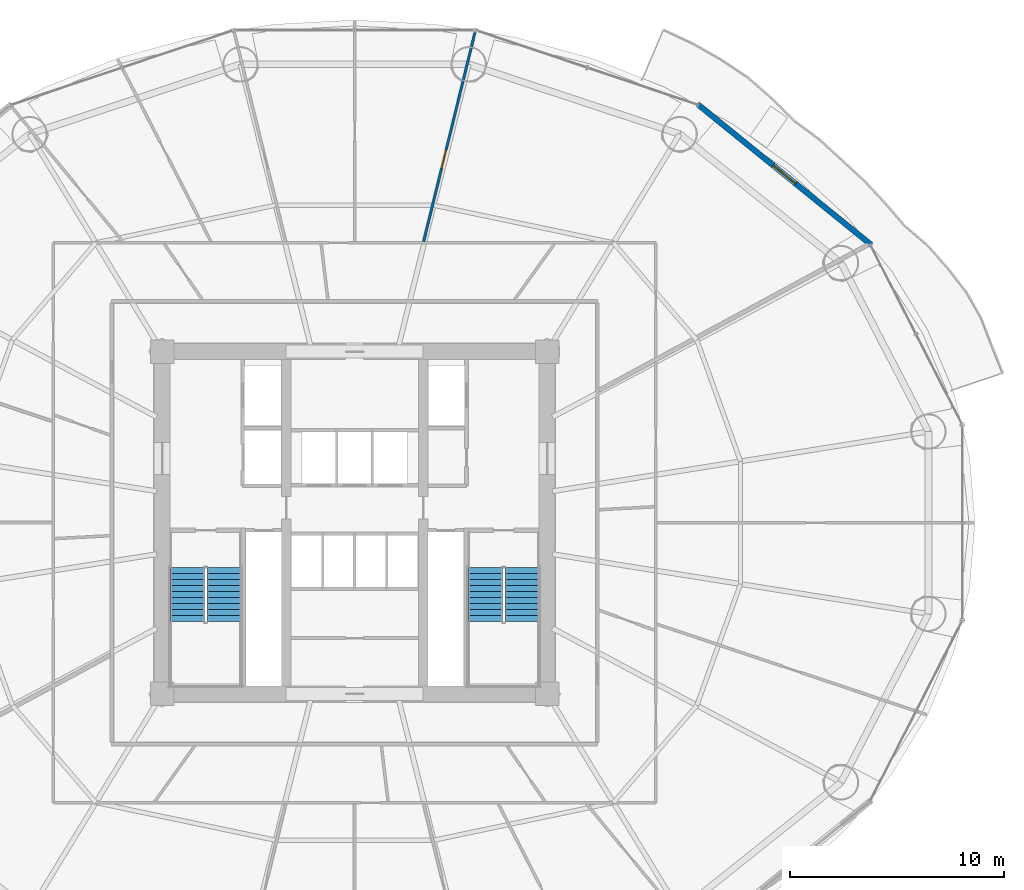
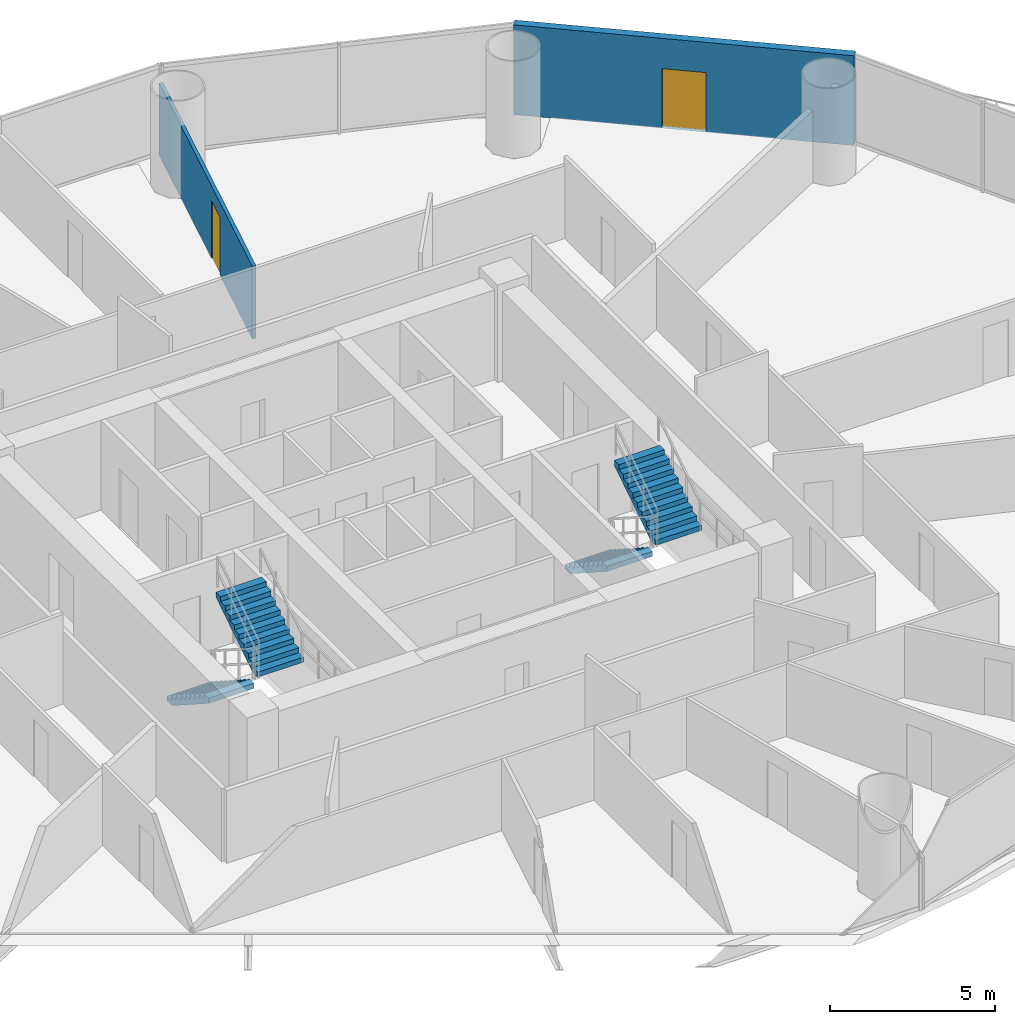
# One storey, part 26 of 30: 4 stair flights, 2 doors, 2 walls, 2 openings, 2 elements without a shape of their own.
"""IFC4 building model written with IfcOpenShell, lengths in metres."""

from ifc_helpers import new_model, si_unit, direction, frame, frame_2d, origin, place, context, subcontext, project, spatial, polyline, rectangle, outline, extrude, source, transform, mapped, material, layer, layer_set, type_object, element, fill, aggregate, save


model = new_model("IFC4")

# Units and contexts
model_context = context("Model", 3, precision=1e-05, world=origin(), true_north=direction((-0.2419218956, 0.970295726276)))
body_context = subcontext(model_context, "Body", "Model", "MODEL_VIEW")
ifc_project = project(units=[si_unit("LENGTHUNIT", "METRE"), si_unit("AREAUNIT", "SQUARE_METRE"), si_unit("VOLUMEUNIT", "CUBIC_METRE"), si_unit("PLANEANGLEUNIT", "RADIAN"), si_unit("MASSUNIT", "GRAM", prefix="KILO")], contexts=[model_context])

# Site, building, storey
site_placement = place(None, origin())
site = spatial("IfcSite", under=ifc_project, at=site_placement, CompositionType="ELEMENT")
building_placement = place(site_placement, origin())
building = spatial("IfcBuilding", under=site, at=building_placement, Name="Cobrevalo Terracotta Tower", CompositionType="ELEMENT")
storey_placement = place(building_placement, frame((0.0, 0.0, 63.60009765625)))
storey = spatial("IfcBuildingStorey", under=building, at=storey_placement, Name="L16", CompositionType="ELEMENT", Elevation=63.60009765625)

# Wall, opening, door
ifc_material_1 = material(Name="Autoclaved aerated concrete block", Category="concrete")
ifc_layer_1 = layer(ifc_material_1, 0.260009765625)
ifc_layer_set_1 = layer_set([ifc_layer_1], Name="Autoclaved aerated concrete block")
wall_type_1 = type_object("IfcWallType", Name="Recessed balcony loggia insulated exterior wall 260 mm", PredefinedType="SOLIDWALL", material=ifc_layer_set_1)
wall_1_placement = place(storey_placement, frame((62.14990234375, 39.788818359375, 0.0), z_axis=(0.0, 0.0, 1.0), x_axis=(-0.777005352078, 0.62949398952, 0.0)))
wall_1 = element("IfcWall", 1, at=wall_1_placement, inside=storey, type_object=wall_type_1, Name="L16 balcony loggia wall S02", PredefinedType="SOLIDWALL", context=body_context, shape_type="SweptSolid", body=[
    extrude(rectangle(XDim=10.44677734375, YDim=0.260009765625, at=frame_2d((5.223388671875, 0.0))), origin(), (0.0, 0.0, 1.0), 3.31982421875),
])
opening_1_placement = place(wall_1_placement, frame((4.54833984375, 0.0, 0.0)))
opening_1 = element("IfcOpeningElement", 2, at=opening_1_placement, cuts=wall_1, Name="Opening ED-05", PredefinedType="OPENING", context=body_context, shape_type="SweptSolid", body=[
    extrude(rectangle(XDim=1.35009765625, YDim=2.199951171875, at=frame_2d((0.675048828125, 1.10009765625))), frame((0.0, 0.14013671875, 0.0), z_axis=(0.0, -1.0, 0.0), x_axis=(1.0, 0.0, 0.0)), (0.0, 0.0, 1.0), 0.280029296875),
])
ifc_material_2 = material(Name="Anodized aluminium and laminated glass", Category="aluminium")
door_type_1 = type_object("IfcDoorType", Name="Suite balcony acoustic glazed terrace door 1350x2200", OperationType="NOTDEFINED", PredefinedType="DOOR", material=ifc_material_2)
shared_shape_1 = source(origin(), body_context, "Body", "SweptSolid", [
    extrude(rectangle(XDim=1.35009765625, YDim=2.199951171875, at=frame_2d((0.675048828125, 1.10009765625))), frame((0.0, 0.02490234375, 0.0), z_axis=(0.0, -1.0, 0.0), x_axis=(1.0, 0.0, 0.0)), (0.0, 0.0, 1.0), 0.050048828125),
])
door_1_placement = place(opening_1_placement, frame((1.35009765625, 0.0, 0.0), z_axis=(0.0, 0.0, 1.0), x_axis=(-1.0, 0.0, 0.0)))
door_1 = element("IfcDoor", 3, at=door_1_placement, inside=storey, type_object=door_type_1, Name="L16 glazed balcony terrace door 1", OperationType="SINGLE_SWING_LEFT", OverallHeight=2.199951171875, OverallWidth=1.35009765625, PredefinedType="DOOR", context=body_context, shape_type="MappedRepresentation", body=[
    mapped(shared_shape_1, transform((0.0, 0.0, 0.0), scale=1.0)),
])
fill(opening_1, door_1)

ifc_material_3 = material(Name="Gypsum board on steel stud", Category="steel")
ifc_layer_2 = layer(ifc_material_3, 0.1201171875)
ifc_layer_set_2 = layer_set([ifc_layer_2], Name="Gypsum board on steel stud")
wall_type_2 = type_object("IfcWallType", Name="Residential internal acoustic stud partition 120 mm", PredefinedType="PARTITIONING", material=ifc_layer_set_2)
wall_2_placement = place(storey_placement, frame((41.226806640625, 39.9453125, 0.0), z_axis=(0.0, 0.0, 1.0), x_axis=(0.238375747469, 0.97117300365, 0.0)))
wall_2 = element("IfcWall", 4, at=wall_2_placement, inside=storey, type_object=wall_type_2, Name="L16 interior partition IW-L16-U1-ORAD1", PredefinedType="PARTITIONING", context=body_context, shape_type="SweptSolid", body=[
    extrude(rectangle(XDim=10.086181640625, YDim=0.1201171875, at=frame_2d((5.04296875, 0.0))), origin(), (0.0, 0.0, 1.0), 2.68798828125),
])
opening_2_placement = place(wall_2_placement, frame((3.51806640625, 0.0, 0.0)))
opening_2 = element("IfcOpeningElement", 5, at=opening_2_placement, cuts=wall_2, Name="Opening ID-12", PredefinedType="OPENING", context=body_context, shape_type="SweptSolid", body=[
    extrude(rectangle(XDim=0.89990234375, YDim=2.14990234375, at=frame_2d((0.449951171875, 1.074951171875))), frame((0.0, 0.070068359375, 0.0), z_axis=(0.0, -1.0, 0.0), x_axis=(1.0, 0.0, 0.0)), (0.0, 0.0, 1.0), 0.14013671875),
])
ifc_material_4 = material(Name="Engineered timber", Category="wood")
door_type_2 = type_object("IfcDoorType", Name="Internal residence & suite timber door 900x2150", OperationType="NOTDEFINED", PredefinedType="DOOR", material=ifc_material_4)
shared_shape_2 = source(origin(), body_context, "Body", "SweptSolid", [
    extrude(rectangle(XDim=0.89990234375, YDim=2.14990234375, at=frame_2d((0.449951171875, 1.074951171875))), frame((0.0, 0.02490234375, 0.0), z_axis=(0.0, -1.0, 0.0), x_axis=(1.0, 0.0, 0.0)), (0.0, 0.0, 1.0), 0.050048828125),
])
door_2_placement = place(opening_2_placement, frame((0.89990234375, 0.0, 0.0), z_axis=(0.0, 0.0, 1.0), x_axis=(-1.0, 0.0, 0.0)))
door_2 = element("IfcDoor", 6, at=door_2_placement, inside=storey, type_object=door_type_2, Name="Flat L16A Penthouse Living and Dining Room internal door", OperationType="SINGLE_SWING_LEFT", OverallHeight=2.14990234375, OverallWidth=0.89990234375, PredefinedType="DOOR", context=body_context, shape_type="MappedRepresentation", body=[
    mapped(shared_shape_2, transform((0.0, 0.0, 0.0), scale=1.0)),
])
fill(opening_2, door_2)

# Stair, stair flights
ifc_material_5 = material(Name="Concrete C50", Category="concrete")
stair_type = type_object("IfcStairType", Name="Core protected escape dogleg stair 1600", PredefinedType="HALF_TURN_STAIR", material=ifc_material_5)
stair_1_placement = place(storey_placement, origin())
stair_1 = element("IfcStair", 7, at=stair_1_placement, inside=storey, type_object=stair_type, Name="L16 Protected exit stair ST-1", PredefinedType="HALF_TURN_STAIR")
stair_flight_type = type_object("IfcStairFlightType", Name="Core protected escape dogleg stair 1600 flight", PredefinedType="STRAIGHT", material=ifc_material_5)
stair_flight_1_placement = place(storey_placement, frame((30.175048828125, 24.699951171875, 0.0), z_axis=(0.0, 0.0, 1.0), x_axis=(0.0, -1.0, 0.0)))
stair_flight_1 = element("IfcStairFlight", 8, at=stair_flight_1_placement, type_object=stair_flight_type, Name="ST-1 flight 1", NumberOfRisers=10, NumberOfTreads=9, PredefinedType="STRAIGHT", RiserHeight=0.18, TreadLength=0.28, context=body_context, shape_type="SweptSolid", body=[
    extrude(outline(polyline([(0.0, 0.0), (0.0, 0.179931640625), (0.280029296875, 0.179931640625), (0.280029296875, 0.360107421875), (0.56005859375, 0.360107421875), (0.56005859375, 0.5400390625), (0.840087890625, 0.5400390625), (0.840087890625, 0.719970703125), (1.1201171875, 0.719970703125), (1.1201171875, 0.89990234375), (1.39990234375, 0.89990234375), (1.39990234375, 1.080078125), (1.679931640625, 1.080078125), (1.679931640625, 1.260009765625), (1.9599609375, 1.260009765625), (1.9599609375, 1.43994140625), (2.239990234375, 1.43994140625), (2.239990234375, 1.6201171875), (2.52001953125, 1.6201171875), (2.52001953125, 1.800048828125), (2.52001953125, 1.429931640625), (0.295654296875, 0.0), (0.0, 0.0)])), frame((0.0, 0.800048828125, 0.0), z_axis=(0.0, -1.0, 0.0), x_axis=(1.0, 0.0, 0.0)), (0.0, 0.0, 1.0), 1.60009765625),
])
stair_flight_2_placement = place(storey_placement, frame((31.89501953125, 22.179931640625, 1.7998046875), z_axis=(0.0, 0.0, 1.0), x_axis=(0.0, 1.0, 0.0)))
stair_flight_2 = element("IfcStairFlight", 9, at=stair_flight_2_placement, type_object=stair_flight_type, Name="ST-1 flight 2", NumberOfRisers=10, NumberOfTreads=9, PredefinedType="STRAIGHT", RiserHeight=0.18, TreadLength=0.28, context=body_context, shape_type="SweptSolid", body=[
    extrude(outline(polyline([(0.0, 0.0), (0.0, 0.179931640625), (0.280029296875, 0.179931640625), (0.280029296875, 0.360107421875), (0.56005859375, 0.360107421875), (0.56005859375, 0.5400390625), (0.840087890625, 0.5400390625), (0.840087890625, 0.719970703125), (1.1201171875, 0.719970703125), (1.1201171875, 0.89990234375), (1.39990234375, 0.89990234375), (1.39990234375, 1.080078125), (1.679931640625, 1.080078125), (1.679931640625, 1.260009765625), (1.9599609375, 1.260009765625), (1.9599609375, 1.43994140625), (2.239990234375, 1.43994140625), (2.239990234375, 1.6201171875), (2.52001953125, 1.6201171875), (2.52001953125, 1.800048828125), (2.52001953125, 1.429931640625), (0.295654296875, 0.0), (0.0, 0.0)])), frame((0.0, 0.800048828125, 0.0), z_axis=(0.0, -1.0, 0.0), x_axis=(1.0, 0.0, 0.0)), (0.0, 0.0, 1.0), 1.60009765625),
])
aggregate(stair_1, [stair_flight_1, stair_flight_2])

stair_2_placement = place(storey_placement, origin())
stair_2 = element("IfcStair", 10, at=stair_2_placement, inside=storey, type_object=stair_type, Name="L16 Protected exit stair ST-2", PredefinedType="HALF_TURN_STAIR")
stair_flight_3_placement = place(storey_placement, frame((44.10498046875, 24.699951171875, 0.0), z_axis=(0.0, 0.0, 1.0), x_axis=(0.0, -1.0, 0.0)))
stair_flight_3 = element("IfcStairFlight", 11, at=stair_flight_3_placement, type_object=stair_flight_type, Name="ST-2 flight 1", NumberOfRisers=10, NumberOfTreads=9, PredefinedType="STRAIGHT", RiserHeight=0.18, TreadLength=0.28, context=body_context, shape_type="SweptSolid", body=[
    extrude(outline(polyline([(0.0, 0.0), (0.0, 0.179931640625), (0.280029296875, 0.179931640625), (0.280029296875, 0.360107421875), (0.56005859375, 0.360107421875), (0.56005859375, 0.5400390625), (0.840087890625, 0.5400390625), (0.840087890625, 0.719970703125), (1.1201171875, 0.719970703125), (1.1201171875, 0.89990234375), (1.39990234375, 0.89990234375), (1.39990234375, 1.080078125), (1.679931640625, 1.080078125), (1.679931640625, 1.260009765625), (1.9599609375, 1.260009765625), (1.9599609375, 1.43994140625), (2.239990234375, 1.43994140625), (2.239990234375, 1.6201171875), (2.52001953125, 1.6201171875), (2.52001953125, 1.800048828125), (2.52001953125, 1.429931640625), (0.295654296875, 0.0), (0.0, 0.0)])), frame((0.0, 0.800048828125, 0.0), z_axis=(0.0, -1.0, 0.0), x_axis=(1.0, 0.0, 0.0)), (0.0, 0.0, 1.0), 1.60009765625),
])
stair_flight_4_placement = place(storey_placement, frame((45.824951171875, 22.179931640625, 1.7998046875), z_axis=(0.0, 0.0, 1.0), x_axis=(0.0, 1.0, 0.0)))
stair_flight_4 = element("IfcStairFlight", 12, at=stair_flight_4_placement, type_object=stair_flight_type, Name="ST-2 flight 2", NumberOfRisers=10, NumberOfTreads=9, PredefinedType="STRAIGHT", RiserHeight=0.18, TreadLength=0.28, context=body_context, shape_type="SweptSolid", body=[
    extrude(outline(polyline([(0.0, 0.0), (0.0, 0.179931640625), (0.280029296875, 0.179931640625), (0.280029296875, 0.360107421875), (0.56005859375, 0.360107421875), (0.56005859375, 0.5400390625), (0.840087890625, 0.5400390625), (0.840087890625, 0.719970703125), (1.1201171875, 0.719970703125), (1.1201171875, 0.89990234375), (1.39990234375, 0.89990234375), (1.39990234375, 1.080078125), (1.679931640625, 1.080078125), (1.679931640625, 1.260009765625), (1.9599609375, 1.260009765625), (1.9599609375, 1.43994140625), (2.239990234375, 1.43994140625), (2.239990234375, 1.6201171875), (2.52001953125, 1.6201171875), (2.52001953125, 1.800048828125), (2.52001953125, 1.429931640625), (0.295654296875, 0.0), (0.0, 0.0)])), frame((0.0, 0.800048828125, 0.0), z_axis=(0.0, -1.0, 0.0), x_axis=(1.0, 0.0, 0.0)), (0.0, 0.0, 1.0), 1.60009765625),
])
aggregate(stair_2, [stair_flight_3, stair_flight_4])

save(model, "model.ifc")
